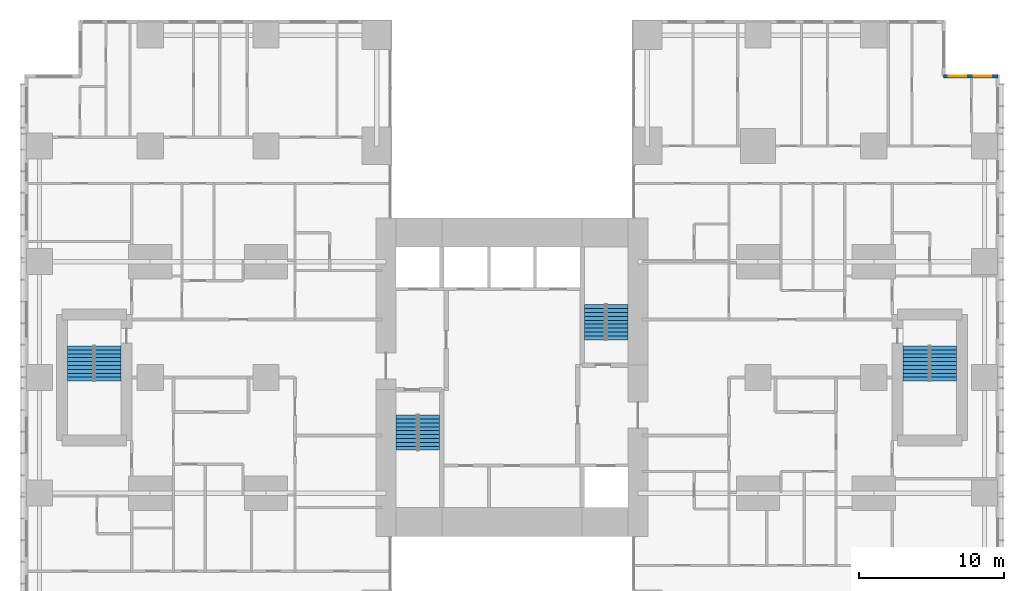
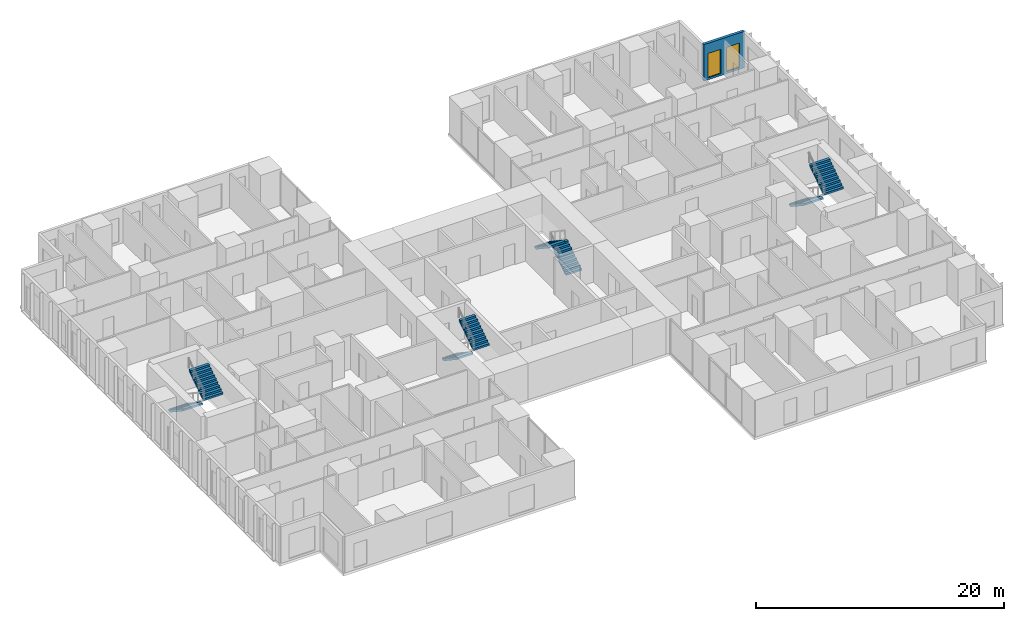
# One storey, part 19 of 20: 8 stair flights, 2 windows, 1 wall, 2 openings, 4 elements without a shape of their own.
"""IFC4 building model written with IfcOpenShell, lengths in metres."""

import ifcopenshell
import ifcopenshell.guid

model = None  # the IFC model being written
_history = None  # IfcOwnerHistory: only IFC2X3 demands one
_inside = {}  # id of a spatial element -> (the spatial element, [elements in it])
_under = {}  # id of a project, library or spatial element -> (it, [spatial elements below it])
_declared = {}  # id of a project -> (the project, [libraries it declares])
_typed = {}  # id of a type object -> (the type object, [elements of that type])
_made_of = {}  # id of a material, layer set ... -> (it, [elements and type objects made of it])


def new_model(schema):
    """Start an empty IFC model of exactly this schema.

    Asked for "IFC4X3", IfcOpenShell would pick the latest addendum, in which some entities
    have other attributes; the version numbers below select the first issue.
    IFC2X3 requires an IfcOwnerHistory on every rooted entity: one is made here for all.
    """
    global model, _history
    if schema == "IFC4X3":
        model = ifcopenshell.file(schema_version=(4, 3, 0, 0))
    else:
        model = ifcopenshell.file(schema=schema)
    _inside.clear()
    _under.clear()
    _declared.clear()
    _typed.clear()
    _made_of.clear()
    _history = None
    if model.schema == "IFC2X3":
        org = make("IfcOrganization", Name="unknown")
        user = make(
            "IfcPersonAndOrganization",
            ThePerson=make("IfcPerson", FamilyName="unknown"),
            TheOrganization=org,
        )
        app = make(
            "IfcApplication",
            ApplicationDeveloper=org,
            Version="unknown",
            ApplicationFullName="unknown",
            ApplicationIdentifier="unknown",
        )
        _history = make(
            "IfcOwnerHistory",
            OwningUser=user,
            OwningApplication=app,
            ChangeAction="ADDED",
            CreationDate=0,
        )
    return model


def make(cls, **values):
    """One entity of the class cls with the attributes given. An attribute that is None is left unset."""
    return model.create_entity(
        cls, **{name: value for name, value in values.items() if value is not None}
    )


def rooted(cls, **values):
    """An entity with a GlobalId (a new one), such as an element, a storey or a relation."""
    return make(cls, GlobalId=ifcopenshell.guid.new(), OwnerHistory=_history, **values)


def si_unit(unit_type, name, prefix=None):
    """IfcSIUnit, for example si_unit("LENGTHUNIT", "METRE", prefix="MILLI")."""
    return make("IfcSIUnit", UnitType=unit_type, Prefix=prefix, Name=name)


def assignment(units):
    """IfcUnitAssignment: the units of a project."""
    return None if units is None else make("IfcUnitAssignment", Units=units)


def point(xyz):
    """IfcCartesianPoint."""
    return None if xyz is None else make("IfcCartesianPoint", Coordinates=xyz)


def direction(xyz):
    """IfcDirection."""
    return None if xyz is None else make("IfcDirection", DirectionRatios=xyz)


def frame(location, z_axis=None, x_axis=None):
    """IfcAxis2Placement3D, a coordinate frame: its origin and axes. An axis left out is left unset."""
    return make(
        "IfcAxis2Placement3D",
        Location=point(location),
        Axis=direction(z_axis),
        RefDirection=direction(x_axis),
    )


def frame_2d(location, x_axis=None):
    """IfcAxis2Placement2D, a coordinate frame in the plane: its origin and x axis."""
    return make(
        "IfcAxis2Placement2D", Location=point(location), RefDirection=direction(x_axis)
    )


def origin():
    """The frame at (0, 0, 0) with its axes left unset."""
    return frame((0.0, 0.0, 0.0))


def place(relative_to, where):
    """IfcLocalPlacement: puts the frame where relative to a parent placement (None: the world)."""
    return make(
        "IfcLocalPlacement", PlacementRelTo=relative_to, RelativePlacement=where
    )


def context(
    kind, dimensions, precision=None, world=None, true_north=None, identifier=None
):
    """IfcGeometricRepresentationContext, for example the 3D "Model" context."""
    return make(
        "IfcGeometricRepresentationContext",
        ContextIdentifier=identifier,
        ContextType=kind,
        CoordinateSpaceDimension=dimensions,
        Precision=precision,
        WorldCoordinateSystem=world,
        TrueNorth=true_north,
    )


def subcontext(parent, identifier, kind, view, scale=None):
    """IfcGeometricRepresentationSubContext, for example "Body" below "Model"."""
    return make(
        "IfcGeometricRepresentationSubContext",
        ContextIdentifier=identifier,
        ContextType=kind,
        ParentContext=parent,
        TargetScale=scale,
        TargetView=view,
    )


def project(units=None, contexts=None):
    """IfcProject with its units and contexts."""
    return rooted(
        "IfcProject",
        Name="project",
        RepresentationContexts=contexts,
        UnitsInContext=assignment(units),
    )


def spatial(cls, under=None, at=None, **own):
    """A site, building, storey or space (cls), placed at a placement, below another one or the project."""
    s = rooted(cls, ObjectPlacement=at, **own)
    if under is not None:
        _under.setdefault(under.id(), (under, []))[1].append(s)
    return s


def polyline(points):
    """IfcPolyline through the points."""
    return make("IfcPolyline", Points=[point(p) for p in points])


def profile(cls, at=None, kind="AREA", **sizes):
    """A parametric profile (cls). Its sizes go by their IFC names, for example OverallWidth=200.0."""
    return make(cls, ProfileType=kind, Position=at, **sizes)


def rectangle(**sizes):
    """IfcRectangleProfileDef."""
    return profile("IfcRectangleProfileDef", **sizes)


def outline(outer, holes=None, kind="AREA"):
    """IfcArbitraryClosedProfileDef: a profile drawn as a closed curve; with holes, ...WithVoids."""
    if holes is None:
        return make("IfcArbitraryClosedProfileDef", ProfileType=kind, OuterCurve=outer)
    return make(
        "IfcArbitraryProfileDefWithVoids",
        ProfileType=kind,
        OuterCurve=outer,
        InnerCurves=holes,
    )


def extrude(swept, where, along, depth):
    """IfcExtrudedAreaSolid: the profile swept, set in the frame where, extruded along a direction by depth."""
    return make(
        "IfcExtrudedAreaSolid",
        SweptArea=swept,
        Position=where,
        ExtrudedDirection=direction(along),
        Depth=depth,
    )


def shape(context_of_items, identifier, shape_type, items):
    """IfcShapeRepresentation: the items that make up one representation, for example the "Body"."""
    return make(
        "IfcShapeRepresentation",
        ContextOfItems=context_of_items,
        RepresentationIdentifier=identifier,
        RepresentationType=shape_type,
        Items=items,
    )


def material(Name=None, Category=None):
    """IfcMaterial."""
    return make("IfcMaterial", Name=Name, Category=Category)


def layer(
    of_material, thickness, ventilated=None, Name=None, Category=None, Priority=None
):
    """IfcMaterialLayer: one layer of a wall or slab, of a material (None: an air gap)."""
    return make(
        "IfcMaterialLayer",
        Material=of_material,
        LayerThickness=thickness,
        IsVentilated=ventilated,
        Name=Name,
        Category=Category,
        Priority=Priority,
    )


def layer_set(layers, Name=None):
    """IfcMaterialLayerSet."""
    return make("IfcMaterialLayerSet", MaterialLayers=layers, LayerSetName=Name)


def made_of(thing, what):
    """Note that an element or type object is made of a material, layer set ...; save() writes the relation."""
    if what is not None:
        _made_of.setdefault(what.id(), (what, []))[1].append(thing)
    return thing


def type_object(cls, material=None, **own):
    """A type object (cls), such as IfcWallType, which elements share."""
    return made_of(rooted(cls, **own), material)


def element(
    cls,
    number,
    at=None,
    inside=None,
    cuts=None,
    type_object=None,
    material=None,
    context=None,
    identifier="Body",
    shape_type=None,
    held_by="IfcProductDefinitionShape",
    body=None,
    shapes=None,
    **own,
):
    """One element of the class cls, such as IfcWall. Its Tag is "e" and its number.

    at: its placement. inside: the storey or other place that contains it. cuts: it is an
    opening in that element (IfcRelVoidsElement). A single representation is given by context,
    identifier, shape_type and body (its items); several are given by shapes. held_by: the class
    of the entity that holds the representations. save() writes the other relations.
    """
    e = rooted(cls, Tag="e%d" % number, ObjectPlacement=at, **own)
    if body is not None:
        shapes = [shape(context, identifier, shape_type, body)]
    if shapes is not None:
        e.Representation = make(held_by, Representations=shapes)
    if inside is not None:
        _inside.setdefault(inside.id(), (inside, []))[1].append(e)
    if cuts is not None:
        rooted(
            "IfcRelVoidsElement", RelatingBuildingElement=cuts, RelatedOpeningElement=e
        )
    if type_object is not None:
        _typed.setdefault(type_object.id(), (type_object, []))[1].append(e)
    return made_of(e, material)


def fill(opening, filler):
    """IfcRelFillsElement: the door or window that sits in an opening."""
    return rooted(
        "IfcRelFillsElement",
        RelatingOpeningElement=opening,
        RelatedBuildingElement=filler,
    )


def aggregate(whole, parts):
    """IfcRelAggregates: a whole, such as a stair, and the parts it consists of."""
    return rooted("IfcRelAggregates", RelatingObject=whole, RelatedObjects=parts)


def save(model, path):
    """Write the relations noted so far, then the file.

    IfcRelAggregates (storeys below a building ...), IfcRelContainedInSpatialStructure (elements
    in a storey), IfcRelDefinesByType, IfcRelAssociatesMaterial and IfcRelDeclares: one each for
    every whole, place, type object, material and project.
    """
    for whole, parts in _under.values():
        aggregate(whole, parts)
    for where, things in _inside.values():
        rooted(
            "IfcRelContainedInSpatialStructure",
            RelatedElements=things,
            RelatingStructure=where,
        )
    for kind, things in _typed.values():
        rooted("IfcRelDefinesByType", RelatedObjects=things, RelatingType=kind)
    for what, things in _made_of.values():
        rooted("IfcRelAssociatesMaterial", RelatedObjects=things, RelatingMaterial=what)
    for by, libraries in _declared.values():
        rooted("IfcRelDeclares", RelatingContext=by, RelatedDefinitions=libraries)
    model.write(path)


model = new_model("IFC4")

# Units and contexts
model_context = context("Model", 3, precision=1e-05, world=origin(), true_north=direction((0.0, 1.0)))
body_context = subcontext(model_context, "Body", "Model", "MODEL_VIEW")
ifc_project = project(units=[si_unit("LENGTHUNIT", "METRE"), si_unit("AREAUNIT", "SQUARE_METRE"), si_unit("VOLUMEUNIT", "CUBIC_METRE"), si_unit("PLANEANGLEUNIT", "RADIAN"), si_unit("MASSUNIT", "GRAM", prefix="KILO")], contexts=[model_context])

# Site, building, storey
site_placement = place(None, origin())
site = spatial("IfcSite", under=ifc_project, at=site_placement, CompositionType="ELEMENT")
building_placement = place(site_placement, origin())
building = spatial("IfcBuilding", under=site, at=building_placement, Name="Cleftline Residences", CompositionType="ELEMENT")
storey_placement = place(building_placement, frame((0.0, 0.0, 214.60009765625)))
storey = spatial("IfcBuildingStorey", under=building, at=storey_placement, Name="L56", CompositionType="ELEMENT", Elevation=214.60009765625)

# Wall, openings, windows
ifc_material_1 = material(Name="Rendered reinforced concrete blockwork", Category="masonry")
ifc_layer = layer(ifc_material_1, 0.25)
ifc_layer_set = layer_set([ifc_layer], Name="EXTERNAL WALL 250")
wall_type = type_object("IfcWallType", Name="EXTERNAL WALL 250", PredefinedType="SOLIDWALL", material=ifc_layer_set)
wall_placement = place(storey_placement, frame((66.574951171875, 44.824951171875, 0.0), z_axis=(0.0, 0.0, 1.0), x_axis=(-1.0, 0.0, 0.0)))
wall = element("IfcWall", 1, at=wall_placement, inside=storey, type_object=wall_type, Name="External wall", PredefinedType="SOLIDWALL", context=body_context, shape_type="SweptSolid", body=[
    extrude(rectangle(XDim=3.75, YDim=0.25, at=frame_2d((1.875, 0.0))), origin(), (0.0, 0.0, 1.0), 3.599853515625),
])
opening_1_placement = place(wall_placement, frame((0.449951171875, 0.0, 0.199951171875)))
opening_1 = element("IfcOpeningElement", 2, at=opening_1_placement, cuts=wall, Name="Opening W13", PredefinedType="OPENING", context=body_context, shape_type="SweptSolid", body=[
    extrude(rectangle(XDim=1.199951171875, YDim=2.39990234375, at=frame_2d((0.60009765625, 1.199951171875))), frame((0.0, 0.135009765625, 0.0), z_axis=(0.0, -1.0, 0.0), x_axis=(1.0, 0.0, 0.0)), (0.0, 0.0, 1.0), 0.27001953125),
])
opening_2_placement = place(wall_placement, frame((2.1875, 0.0, 0.199951171875)))
opening_2 = element("IfcOpeningElement", 3, at=opening_2_placement, cuts=wall, Name="Opening W13", PredefinedType="OPENING", context=body_context, shape_type="SweptSolid", body=[
    extrude(rectangle(XDim=1.199951171875, YDim=2.39990234375, at=frame_2d((0.60009765625, 1.199951171875))), frame((0.0, 0.135009765625, 0.0), z_axis=(0.0, -1.0, 0.0), x_axis=(1.0, 0.0, 0.0)), (0.0, 0.0, 1.0), 0.27001953125),
])
ifc_material_2 = material(Name="Aluminium frame, clear double glazing", Category="aluminium")
window_type = type_object("IfcWindowType", Name="WINDOW 1200X2400", PartitioningType="DOUBLE_PANEL_VERTICAL", PredefinedType="WINDOW", material=ifc_material_2)
window_1_placement = place(opening_1_placement, origin())
window_1 = element("IfcWindow", 4, at=window_1_placement, inside=storey, type_object=window_type, Name="Window", OverallHeight=2.39990234375, OverallWidth=1.199951171875, PartitioningType="SINGLE_PANEL", PredefinedType="WINDOW", context=body_context, shape_type="SweptSolid", body=[
    extrude(rectangle(XDim=1.199951171875, YDim=2.39990234375, at=frame_2d((0.60009765625, 1.199951171875))), frame((0.0, 0.030029296875, 0.0), z_axis=(0.0, -1.0, 0.0), x_axis=(1.0, 0.0, 0.0)), (0.0, 0.0, 1.0), 0.06005859375),
])
fill(opening_1, window_1)
window_2_placement = place(opening_2_placement, origin())
window_2 = element("IfcWindow", 5, at=window_2_placement, inside=storey, type_object=window_type, Name="Window", OverallHeight=2.39990234375, OverallWidth=1.199951171875, PartitioningType="SINGLE_PANEL", PredefinedType="WINDOW", context=body_context, shape_type="SweptSolid", body=[
    extrude(rectangle(XDim=1.199951171875, YDim=2.39990234375, at=frame_2d((0.60009765625, 1.199951171875))), frame((0.0, 0.030029296875, 0.0), z_axis=(0.0, -1.0, 0.0), x_axis=(1.0, 0.0, 0.0)), (0.0, 0.0, 1.0), 0.06005859375),
])
fill(opening_2, window_2)

# Stair, stair flights
ifc_material_3 = material(Name="Concrete B45, stone treads", Category="masonry")
stair_type_1 = type_object("IfcStairType", Name="STAIR A 1450 WIDE 180 RISER", PredefinedType="HALF_TURN_STAIR", material=ifc_material_3)
stair_1_placement = place(storey_placement, origin())
stair_1 = element("IfcStair", 6, at=stair_1_placement, inside=storey, type_object=stair_type_1, Name="Stair A L56", PredefinedType="HALF_TURN_STAIR")
ifc_material_4 = material(Name="Concrete B45", Category="concrete")
stair_flight_type_1 = type_object("IfcStairFlightType", Name="STAIR A FLIGHT 1450X180", PredefinedType="STRAIGHT", material=ifc_material_4)
stair_flight_1_placement = place(storey_placement, frame((25.72509765625, 21.39990234375, 0.0), z_axis=(0.0, 0.0, 1.0), x_axis=(0.0, -1.0, 0.0)))
stair_flight_1 = element("IfcStairFlight", 7, at=stair_flight_1_placement, type_object=stair_flight_type_1, Name="ST-A flight 1", NumberOfRisers=10, NumberOfTreads=9, PredefinedType="STRAIGHT", RiserHeight=0.18, TreadLength=0.27, context=body_context, shape_type="SweptSolid", body=[
    extrude(outline(polyline([(0.0, 0.0), (0.0, 0.013916015625), (0.0, 0.027587890625), (0.0, 0.04150390625), (0.0, 0.055419921875), (0.0, 0.0693359375), (0.0, 0.0830078125), (0.0, 0.096923828125), (0.0, 0.11083984375), (0.0, 0.12451171875), (0.0, 0.138427734375), (0.0, 0.15234375), (0.0, 0.166259765625), (0.0, 0.179931640625), (0.27001953125, 0.179931640625), (0.27001953125, 0.360107421875), (0.5400390625, 0.360107421875), (0.5400390625, 0.5400390625), (0.81005859375, 0.5400390625), (0.81005859375, 0.719970703125), (1.080078125, 0.719970703125), (1.080078125, 0.89990234375), (1.35009765625, 0.89990234375), (1.35009765625, 1.080078125), (1.6201171875, 1.080078125), (1.6201171875, 1.260009765625), (1.889892578125, 1.260009765625), (1.889892578125, 1.43994140625), (2.159912109375, 1.43994140625), (2.159912109375, 1.6201171875), (2.429931640625, 1.6201171875), (2.429931640625, 1.800048828125), (2.429931640625, 1.772216796875), (2.429931640625, 1.74462890625), (2.429931640625, 1.716796875), (2.429931640625, 1.689208984375), (2.429931640625, 1.661376953125), (2.429931640625, 1.6337890625), (2.429931640625, 1.60595703125), (2.429931640625, 1.578369140625), (2.429931640625, 1.550537109375), (2.429931640625, 1.52294921875), (2.429931640625, 1.495361328125), (2.429931640625, 1.467529296875), (2.429931640625, 1.43994140625), (0.270263671875, 0.0), (0.0, 0.0)])), frame((0.0, 0.72509765625, 0.0), z_axis=(0.0, -1.0, 0.0), x_axis=(1.0, 0.0, 0.0)), (0.0, 0.0, 1.0), 1.449951171875),
])
stair_flight_2_placement = place(storey_placement, frame((27.27490234375, 18.969970703125, 1.7998046875), z_axis=(0.0, 0.0, 1.0), x_axis=(0.0, 1.0, 0.0)))
stair_flight_2 = element("IfcStairFlight", 8, at=stair_flight_2_placement, type_object=stair_flight_type_1, Name="ST-A flight 2", NumberOfRisers=10, NumberOfTreads=9, PredefinedType="STRAIGHT", RiserHeight=0.18, TreadLength=0.27, context=body_context, shape_type="SweptSolid", body=[
    extrude(outline(polyline([(0.0, 0.0), (0.0, 0.013916015625), (0.0, 0.027587890625), (0.0, 0.04150390625), (0.0, 0.055419921875), (0.0, 0.0693359375), (0.0, 0.0830078125), (0.0, 0.096923828125), (0.0, 0.11083984375), (0.0, 0.12451171875), (0.0, 0.138427734375), (0.0, 0.15234375), (0.0, 0.166259765625), (0.0, 0.179931640625), (0.27001953125, 0.179931640625), (0.27001953125, 0.360107421875), (0.5400390625, 0.360107421875), (0.5400390625, 0.5400390625), (0.81005859375, 0.5400390625), (0.81005859375, 0.719970703125), (1.080078125, 0.719970703125), (1.080078125, 0.89990234375), (1.35009765625, 0.89990234375), (1.35009765625, 1.080078125), (1.6201171875, 1.080078125), (1.6201171875, 1.260009765625), (1.889892578125, 1.260009765625), (1.889892578125, 1.43994140625), (2.159912109375, 1.43994140625), (2.159912109375, 1.6201171875), (2.429931640625, 1.6201171875), (2.429931640625, 1.800048828125), (2.429931640625, 1.772216796875), (2.429931640625, 1.74462890625), (2.429931640625, 1.716796875), (2.429931640625, 1.689208984375), (2.429931640625, 1.661376953125), (2.429931640625, 1.6337890625), (2.429931640625, 1.60595703125), (2.429931640625, 1.578369140625), (2.429931640625, 1.550537109375), (2.429931640625, 1.52294921875), (2.429931640625, 1.495361328125), (2.429931640625, 1.467529296875), (2.429931640625, 1.43994140625), (0.270263671875, 0.0), (0.0, 0.0)])), frame((0.0, 0.72509765625, 0.0), z_axis=(0.0, -1.0, 0.0), x_axis=(1.0, 0.0, 0.0)), (0.0, 0.0, 1.0), 1.449951171875),
])
aggregate(stair_1, [stair_flight_1, stair_flight_2])

ifc_material_5 = material(Name="Concrete B45, stone treads", Category="masonry")
stair_type_2 = type_object("IfcStairType", Name="STAIR B 1450 WIDE 180 RISER", PredefinedType="HALF_TURN_STAIR", material=ifc_material_5)
stair_2_placement = place(storey_placement, origin())
stair_2 = element("IfcStair", 9, at=stair_2_placement, inside=storey, type_object=stair_type_2, Name="Stair B L56", PredefinedType="HALF_TURN_STAIR")
ifc_material_6 = material(Name="Concrete B45", Category="concrete")
stair_flight_type_2 = type_object("IfcStairFlightType", Name="STAIR B FLIGHT 1450X180", PredefinedType="STRAIGHT", material=ifc_material_6)
stair_flight_3_placement = place(storey_placement, frame((40.27490234375, 26.60009765625, 0.0), z_axis=(0.0, 0.0, 1.0), x_axis=(0.0, 1.0, 0.0)))
stair_flight_3 = element("IfcStairFlight", 10, at=stair_flight_3_placement, type_object=stair_flight_type_2, Name="ST-B flight 1", NumberOfRisers=10, NumberOfTreads=9, PredefinedType="STRAIGHT", RiserHeight=0.18, TreadLength=0.27, context=body_context, shape_type="SweptSolid", body=[
    extrude(outline(polyline([(0.0, 0.0), (0.0, 0.013916015625), (0.0, 0.027587890625), (0.0, 0.04150390625), (0.0, 0.055419921875), (0.0, 0.0693359375), (0.0, 0.0830078125), (0.0, 0.096923828125), (0.0, 0.11083984375), (0.0, 0.12451171875), (0.0, 0.138427734375), (0.0, 0.15234375), (0.0, 0.166259765625), (0.0, 0.179931640625), (0.27001953125, 0.179931640625), (0.27001953125, 0.360107421875), (0.5400390625, 0.360107421875), (0.5400390625, 0.5400390625), (0.81005859375, 0.5400390625), (0.81005859375, 0.719970703125), (1.080078125, 0.719970703125), (1.080078125, 0.89990234375), (1.35009765625, 0.89990234375), (1.35009765625, 1.080078125), (1.6201171875, 1.080078125), (1.6201171875, 1.260009765625), (1.889892578125, 1.260009765625), (1.889892578125, 1.43994140625), (2.159912109375, 1.43994140625), (2.159912109375, 1.6201171875), (2.429931640625, 1.6201171875), (2.429931640625, 1.800048828125), (2.429931640625, 1.772216796875), (2.429931640625, 1.74462890625), (2.429931640625, 1.716796875), (2.429931640625, 1.689208984375), (2.429931640625, 1.661376953125), (2.429931640625, 1.6337890625), (2.429931640625, 1.60595703125), (2.429931640625, 1.578369140625), (2.429931640625, 1.550537109375), (2.429931640625, 1.52294921875), (2.429931640625, 1.495361328125), (2.429931640625, 1.467529296875), (2.429931640625, 1.43994140625), (0.270263671875, 0.0), (0.0, 0.0)])), frame((0.0, 0.72509765625, 0.0), z_axis=(0.0, -1.0, 0.0), x_axis=(1.0, 0.0, 0.0)), (0.0, 0.0, 1.0), 1.449951171875),
])
stair_flight_4_placement = place(storey_placement, frame((38.72509765625, 29.030029296875, 1.7998046875), z_axis=(0.0, 0.0, 1.0), x_axis=(0.0, -1.0, 0.0)))
stair_flight_4 = element("IfcStairFlight", 11, at=stair_flight_4_placement, type_object=stair_flight_type_2, Name="ST-B flight 2", NumberOfRisers=10, NumberOfTreads=9, PredefinedType="STRAIGHT", RiserHeight=0.18, TreadLength=0.27, context=body_context, shape_type="SweptSolid", body=[
    extrude(outline(polyline([(0.0, 0.0), (0.0, 0.013916015625), (0.0, 0.027587890625), (0.0, 0.04150390625), (0.0, 0.055419921875), (0.0, 0.0693359375), (0.0, 0.0830078125), (0.0, 0.096923828125), (0.0, 0.11083984375), (0.0, 0.12451171875), (0.0, 0.138427734375), (0.0, 0.15234375), (0.0, 0.166259765625), (0.0, 0.179931640625), (0.27001953125, 0.179931640625), (0.27001953125, 0.360107421875), (0.5400390625, 0.360107421875), (0.5400390625, 0.5400390625), (0.81005859375, 0.5400390625), (0.81005859375, 0.719970703125), (1.080078125, 0.719970703125), (1.080078125, 0.89990234375), (1.35009765625, 0.89990234375), (1.35009765625, 1.080078125), (1.6201171875, 1.080078125), (1.6201171875, 1.260009765625), (1.889892578125, 1.260009765625), (1.889892578125, 1.43994140625), (2.159912109375, 1.43994140625), (2.159912109375, 1.6201171875), (2.429931640625, 1.6201171875), (2.429931640625, 1.800048828125), (2.429931640625, 1.772216796875), (2.429931640625, 1.74462890625), (2.429931640625, 1.716796875), (2.429931640625, 1.689208984375), (2.429931640625, 1.661376953125), (2.429931640625, 1.6337890625), (2.429931640625, 1.60595703125), (2.429931640625, 1.578369140625), (2.429931640625, 1.550537109375), (2.429931640625, 1.52294921875), (2.429931640625, 1.495361328125), (2.429931640625, 1.467529296875), (2.429931640625, 1.43994140625), (0.270263671875, 0.0), (0.0, 0.0)])), frame((0.0, 0.72509765625, 0.0), z_axis=(0.0, -1.0, 0.0), x_axis=(1.0, 0.0, 0.0)), (0.0, 0.0, 1.0), 1.449951171875),
])
aggregate(stair_2, [stair_flight_3, stair_flight_4])

ifc_material_7 = material(Name="Concrete B45, stone treads", Category="masonry")
stair_type_3 = type_object("IfcStairType", Name="STAIR E 1800 WIDE 180 RISER", PredefinedType="HALF_TURN_STAIR", material=ifc_material_7)
stair_3_placement = place(storey_placement, origin())
stair_3 = element("IfcStair", 12, at=stair_3_placement, inside=storey, type_object=stair_type_3, Name="Stair E L56", PredefinedType="HALF_TURN_STAIR")
ifc_material_8 = material(Name="Concrete B45", Category="concrete")
stair_flight_type_3 = type_object("IfcStairFlightType", Name="STAIR E FLIGHT 1800X180", PredefinedType="STRAIGHT", material=ifc_material_8)
stair_flight_5_placement = place(storey_placement, frame((60.925048828125, 26.175048828125, 0.0), z_axis=(0.0, 0.0, 1.0), x_axis=(0.0, -1.0, 0.0)))
stair_flight_5 = element("IfcStairFlight", 13, at=stair_flight_5_placement, type_object=stair_flight_type_3, Name="ST-E flight 1", NumberOfRisers=10, NumberOfTreads=9, PredefinedType="STRAIGHT", RiserHeight=0.18, TreadLength=0.27, context=body_context, shape_type="SweptSolid", body=[
    extrude(outline(polyline([(0.0, 0.0), (0.0, 0.013916015625), (0.0, 0.027587890625), (0.0, 0.04150390625), (0.0, 0.055419921875), (0.0, 0.0693359375), (0.0, 0.0830078125), (0.0, 0.096923828125), (0.0, 0.11083984375), (0.0, 0.12451171875), (0.0, 0.138427734375), (0.0, 0.15234375), (0.0, 0.166259765625), (0.0, 0.179931640625), (0.27001953125, 0.179931640625), (0.27001953125, 0.360107421875), (0.5400390625, 0.360107421875), (0.5400390625, 0.5400390625), (0.81005859375, 0.5400390625), (0.81005859375, 0.719970703125), (1.080078125, 0.719970703125), (1.080078125, 0.89990234375), (1.35009765625, 0.89990234375), (1.35009765625, 1.080078125), (1.6201171875, 1.080078125), (1.6201171875, 1.260009765625), (1.889892578125, 1.260009765625), (1.889892578125, 1.43994140625), (2.159912109375, 1.43994140625), (2.159912109375, 1.6201171875), (2.429931640625, 1.6201171875), (2.429931640625, 1.800048828125), (2.429931640625, 1.772216796875), (2.429931640625, 1.74462890625), (2.429931640625, 1.716796875), (2.429931640625, 1.689208984375), (2.429931640625, 1.661376953125), (2.429931640625, 1.6337890625), (2.429931640625, 1.60595703125), (2.429931640625, 1.578369140625), (2.429931640625, 1.550537109375), (2.429931640625, 1.52294921875), (2.429931640625, 1.495361328125), (2.429931640625, 1.467529296875), (2.429931640625, 1.43994140625), (0.270263671875, 0.0), (0.0, 0.0)])), frame((0.0, 0.89990234375, 0.0), z_axis=(0.0, -1.0, 0.0), x_axis=(1.0, 0.0, 0.0)), (0.0, 0.0, 1.0), 1.800048828125),
])
stair_flight_6_placement = place(storey_placement, frame((62.824951171875, 23.7451171875, 1.7998046875), z_axis=(0.0, 0.0, 1.0), x_axis=(0.0, 1.0, 0.0)))
stair_flight_6 = element("IfcStairFlight", 14, at=stair_flight_6_placement, type_object=stair_flight_type_3, Name="ST-E flight 2", NumberOfRisers=10, NumberOfTreads=9, PredefinedType="STRAIGHT", RiserHeight=0.18, TreadLength=0.27, context=body_context, shape_type="SweptSolid", body=[
    extrude(outline(polyline([(0.0, 0.0), (0.0, 0.013916015625), (0.0, 0.027587890625), (0.0, 0.04150390625), (0.0, 0.055419921875), (0.0, 0.0693359375), (0.0, 0.0830078125), (0.0, 0.096923828125), (0.0, 0.11083984375), (0.0, 0.12451171875), (0.0, 0.138427734375), (0.0, 0.15234375), (0.0, 0.166259765625), (0.0, 0.179931640625), (0.27001953125, 0.179931640625), (0.27001953125, 0.360107421875), (0.5400390625, 0.360107421875), (0.5400390625, 0.5400390625), (0.81005859375, 0.5400390625), (0.81005859375, 0.719970703125), (1.080078125, 0.719970703125), (1.080078125, 0.89990234375), (1.35009765625, 0.89990234375), (1.35009765625, 1.080078125), (1.6201171875, 1.080078125), (1.6201171875, 1.260009765625), (1.889892578125, 1.260009765625), (1.889892578125, 1.43994140625), (2.159912109375, 1.43994140625), (2.159912109375, 1.6201171875), (2.429931640625, 1.6201171875), (2.429931640625, 1.800048828125), (2.429931640625, 1.772216796875), (2.429931640625, 1.74462890625), (2.429931640625, 1.716796875), (2.429931640625, 1.689208984375), (2.429931640625, 1.661376953125), (2.429931640625, 1.6337890625), (2.429931640625, 1.60595703125), (2.429931640625, 1.578369140625), (2.429931640625, 1.550537109375), (2.429931640625, 1.52294921875), (2.429931640625, 1.495361328125), (2.429931640625, 1.467529296875), (2.429931640625, 1.43994140625), (0.270263671875, 0.0), (0.0, 0.0)])), frame((0.0, 0.89990234375, 0.0), z_axis=(0.0, -1.0, 0.0), x_axis=(1.0, 0.0, 0.0)), (0.0, 0.0, 1.0), 1.800048828125),
])
aggregate(stair_3, [stair_flight_5, stair_flight_6])

ifc_material_9 = material(Name="Concrete B45, stone treads", Category="masonry")
stair_type_4 = type_object("IfcStairType", Name="STAIR W 1800 WIDE 180 RISER", PredefinedType="HALF_TURN_STAIR", material=ifc_material_9)
stair_4_placement = place(storey_placement, origin())
stair_4 = element("IfcStair", 15, at=stair_4_placement, inside=storey, type_object=stair_type_4, Name="Stair W L56", PredefinedType="HALF_TURN_STAIR")
ifc_material_10 = material(Name="Concrete B45", Category="concrete")
stair_flight_type_4 = type_object("IfcStairFlightType", Name="STAIR W FLIGHT 1800X180", PredefinedType="STRAIGHT", material=ifc_material_10)
stair_flight_7_placement = place(storey_placement, frame((3.175048828125, 26.175048828125, 0.0), z_axis=(0.0, 0.0, 1.0), x_axis=(0.0, -1.0, 0.0)))
stair_flight_7 = element("IfcStairFlight", 16, at=stair_flight_7_placement, type_object=stair_flight_type_4, Name="ST-W flight 1", NumberOfRisers=10, NumberOfTreads=9, PredefinedType="STRAIGHT", RiserHeight=0.18, TreadLength=0.27, context=body_context, shape_type="SweptSolid", body=[
    extrude(outline(polyline([(0.0, 0.0), (0.0, 0.013916015625), (0.0, 0.027587890625), (0.0, 0.04150390625), (0.0, 0.055419921875), (0.0, 0.0693359375), (0.0, 0.0830078125), (0.0, 0.096923828125), (0.0, 0.11083984375), (0.0, 0.12451171875), (0.0, 0.138427734375), (0.0, 0.15234375), (0.0, 0.166259765625), (0.0, 0.179931640625), (0.27001953125, 0.179931640625), (0.27001953125, 0.360107421875), (0.5400390625, 0.360107421875), (0.5400390625, 0.5400390625), (0.81005859375, 0.5400390625), (0.81005859375, 0.719970703125), (1.080078125, 0.719970703125), (1.080078125, 0.89990234375), (1.35009765625, 0.89990234375), (1.35009765625, 1.080078125), (1.6201171875, 1.080078125), (1.6201171875, 1.260009765625), (1.889892578125, 1.260009765625), (1.889892578125, 1.43994140625), (2.159912109375, 1.43994140625), (2.159912109375, 1.6201171875), (2.429931640625, 1.6201171875), (2.429931640625, 1.800048828125), (2.429931640625, 1.772216796875), (2.429931640625, 1.74462890625), (2.429931640625, 1.716796875), (2.429931640625, 1.689208984375), (2.429931640625, 1.661376953125), (2.429931640625, 1.6337890625), (2.429931640625, 1.60595703125), (2.429931640625, 1.578369140625), (2.429931640625, 1.550537109375), (2.429931640625, 1.52294921875), (2.429931640625, 1.495361328125), (2.429931640625, 1.467529296875), (2.429931640625, 1.43994140625), (0.270263671875, 0.0), (0.0, 0.0)])), frame((0.0, 0.89990234375, 0.0), z_axis=(0.0, -1.0, 0.0), x_axis=(1.0, 0.0, 0.0)), (0.0, 0.0, 1.0), 1.800048828125),
])
stair_flight_8_placement = place(storey_placement, frame((5.074951171875, 23.7451171875, 1.7998046875), z_axis=(0.0, 0.0, 1.0), x_axis=(0.0, 1.0, 0.0)))
stair_flight_8 = element("IfcStairFlight", 17, at=stair_flight_8_placement, type_object=stair_flight_type_4, Name="ST-W flight 2", NumberOfRisers=10, NumberOfTreads=9, PredefinedType="STRAIGHT", RiserHeight=0.18, TreadLength=0.27, context=body_context, shape_type="SweptSolid", body=[
    extrude(outline(polyline([(0.0, 0.0), (0.0, 0.013916015625), (0.0, 0.027587890625), (0.0, 0.04150390625), (0.0, 0.055419921875), (0.0, 0.0693359375), (0.0, 0.0830078125), (0.0, 0.096923828125), (0.0, 0.11083984375), (0.0, 0.12451171875), (0.0, 0.138427734375), (0.0, 0.15234375), (0.0, 0.166259765625), (0.0, 0.179931640625), (0.27001953125, 0.179931640625), (0.27001953125, 0.360107421875), (0.5400390625, 0.360107421875), (0.5400390625, 0.5400390625), (0.81005859375, 0.5400390625), (0.81005859375, 0.719970703125), (1.080078125, 0.719970703125), (1.080078125, 0.89990234375), (1.35009765625, 0.89990234375), (1.35009765625, 1.080078125), (1.6201171875, 1.080078125), (1.6201171875, 1.260009765625), (1.889892578125, 1.260009765625), (1.889892578125, 1.43994140625), (2.159912109375, 1.43994140625), (2.159912109375, 1.6201171875), (2.429931640625, 1.6201171875), (2.429931640625, 1.800048828125), (2.429931640625, 1.772216796875), (2.429931640625, 1.74462890625), (2.429931640625, 1.716796875), (2.429931640625, 1.689208984375), (2.429931640625, 1.661376953125), (2.429931640625, 1.6337890625), (2.429931640625, 1.60595703125), (2.429931640625, 1.578369140625), (2.429931640625, 1.550537109375), (2.429931640625, 1.52294921875), (2.429931640625, 1.495361328125), (2.429931640625, 1.467529296875), (2.429931640625, 1.43994140625), (0.270263671875, 0.0), (0.0, 0.0)])), frame((0.0, 0.89990234375, 0.0), z_axis=(0.0, -1.0, 0.0), x_axis=(1.0, 0.0, 0.0)), (0.0, 0.0, 1.0), 1.800048828125),
])
aggregate(stair_4, [stair_flight_7, stair_flight_8])

save(model, "model.ifc")
